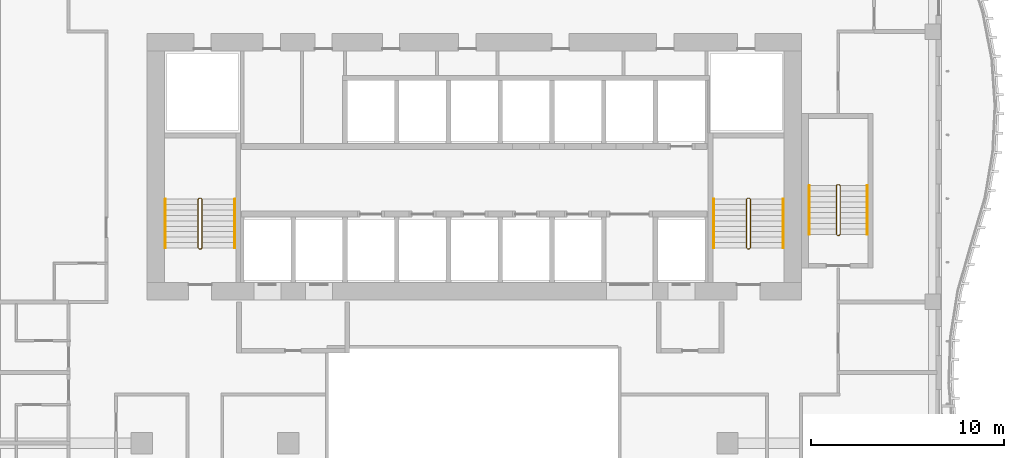
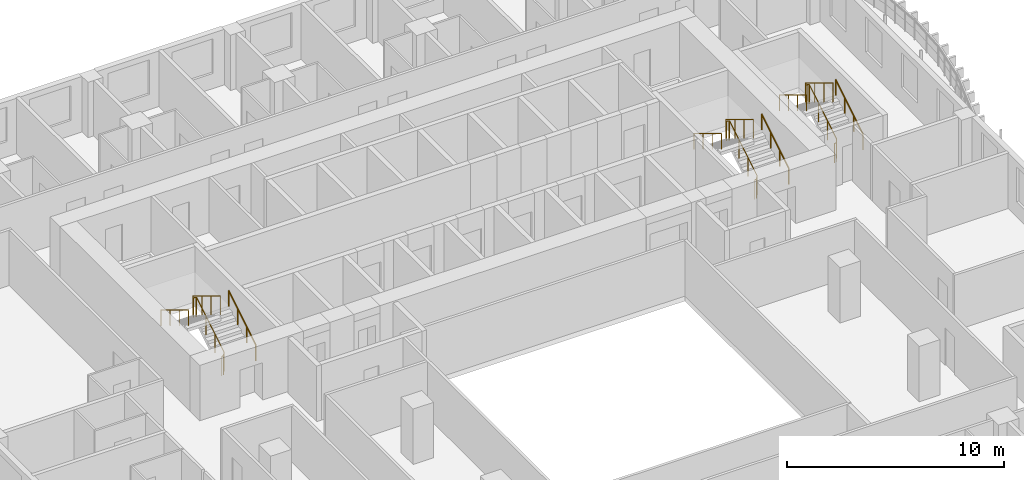
# One storey, part 21 of 22: 9 railings.
"""IFC4 building model written with IfcOpenShell, lengths in metres."""

from ifc_helpers import new_model, si_unit, direction, frame, origin, origin_2d, place, context, subcontext, project, spatial, circle, extrude, material, type_object, element, save


model = new_model("IFC4")

# Units and contexts
model_context = context("Model", 3, precision=1e-05, world=origin(), true_north=direction((0.0, 1.0)))
body_context = subcontext(model_context, "Body", "Model", "MODEL_VIEW")
ifc_project = project(units=[si_unit("LENGTHUNIT", "METRE"), si_unit("AREAUNIT", "SQUARE_METRE"), si_unit("VOLUMEUNIT", "CUBIC_METRE"), si_unit("PLANEANGLEUNIT", "RADIAN"), si_unit("MASSUNIT", "GRAM", prefix="KILO")], contexts=[model_context])

# Site, building, storey
site_placement = place(None, origin())
site = spatial("IfcSite", under=ifc_project, at=site_placement, CompositionType="ELEMENT")
building_placement = place(site_placement, origin())
building = spatial("IfcBuilding", under=site, at=building_placement, Name="Kilnfold Tower and Market Hall", CompositionType="ELEMENT")
storey_placement = place(building_placement, frame((0.0, 0.0, 143.89990234375)))
storey = spatial("IfcBuildingStorey", under=building, at=storey_placement, Name="L32", CompositionType="ELEMENT", Elevation=143.89990234375)

# Railings
ifc_material_1 = material(Name="Stainless steel 316", Category="steel")
railing_type_1 = type_object("IfcRailingType", Name="CORE STAIR GUARD 1100", PredefinedType="GUARDRAIL", material=ifc_material_1)
railing_1_placement = place(storey_placement, frame((-13.199951171875, 10.75, 0.0)))
element("IfcRailing", 1, at=railing_1_placement, inside=storey, type_object=railing_type_1, Name="L32 ST1 stair guard 1", PredefinedType="GUARDRAIL", context=body_context, shape_type="SweptSolid", body=[
    extrude(circle(Radius=0.02392578125, at=origin_2d()), frame((0.0, 0.0, 1.076171875), z_axis=(1.0, 0.0, 0.0), x_axis=(0.0, 1.0, 0.0)), (0.0, 0.0, 1.0), 0.099853515625),
    extrude(circle(Radius=0.02392578125, at=origin_2d()), frame((0.099853515625, 0.0, 1.076171875), z_axis=(0.271562723297, 0.271562723297, 0.923313259209), x_axis=(-0.707106781187, 0.707106781187, 0.0)), (0.0, 0.0, 1.0), 0.184326171875),
    extrude(circle(Radius=0.02392578125, at=origin_2d()), frame((0.14990234375, 0.050048828125, 1.24609375), z_axis=(0.0, 0.85478489116, 0.518982456201), x_axis=(-1.0, 0.0, 0.0)), (0.0, 0.0, 1.0), 2.9482421875),
    extrude(circle(Radius=0.02392578125, at=origin_2d()), frame((0.14990234375, 2.570068359375, 2.7763671875), z_axis=(-0.707106781187, 0.707106781187, 0.0), x_axis=(-0.707106781187, -0.707106781187, 0.0)), (0.0, 0.0, 1.0), 0.07080078125),
    extrude(circle(Radius=0.02392578125, at=origin_2d()), frame((0.099853515625, 2.6201171875, 2.7763671875), z_axis=(-1.0, 0.0, 0.0), x_axis=(0.0, -1.0, 0.0)), (0.0, 0.0, 1.0), 0.099853515625),
    extrude(circle(Radius=0.02392578125, at=origin_2d()), frame((0.0, 2.6201171875, 2.7763671875), z_axis=(-0.271895245746, -0.271895245746, 0.923117517265), x_axis=(0.707106781187, -0.707106781187, 0.0)), (0.0, 0.0, 1.0), 0.18408203125),
    extrude(circle(Radius=0.02392578125, at=origin_2d()), frame((-0.050048828125, 2.570068359375, 2.9462890625), z_axis=(0.0, -0.85478489116, 0.518982456201), x_axis=(1.0, 0.0, 0.0)), (0.0, 0.0, 1.0), 2.9482421875),
    extrude(circle(Radius=0.02099609375, at=origin_2d()), origin(), (0.0, 0.0, 1.0), 1.052001953125),
    extrude(circle(Radius=0.02099609375, at=origin_2d()), frame((0.099853515625, 0.0, 0.0)), (0.0, 0.0, 1.0), 1.052001953125),
    extrude(circle(Radius=0.02099609375, at=origin_2d()), frame((0.14990234375, 0.050048828125, 0.170166015625)), (0.0, 0.0, 1.0), 1.052001953125),
    extrude(circle(Radius=0.02099609375, at=origin_2d()), frame((0.14990234375, 0.89013671875, 0.68017578125)), (0.0, 0.0, 1.0), 1.052001953125),
    extrude(circle(Radius=0.02099609375, at=origin_2d()), frame((0.14990234375, 1.72998046875, 1.190185546875)), (0.0, 0.0, 1.0), 1.052001953125),
    extrude(circle(Radius=0.02099609375, at=origin_2d()), frame((0.14990234375, 2.570068359375, 1.7001953125)), (0.0, 0.0, 1.0), 1.052001953125),
    extrude(circle(Radius=0.02099609375, at=origin_2d()), frame((0.099853515625, 2.6201171875, 1.7001953125)), (0.0, 0.0, 1.0), 1.052001953125),
    extrude(circle(Radius=0.02099609375, at=origin_2d()), frame((0.0, 2.6201171875, 1.7001953125)), (0.0, 0.0, 1.0), 1.052001953125),
    extrude(circle(Radius=0.02099609375, at=origin_2d()), frame((-0.050048828125, 2.570068359375, 1.8701171875)), (0.0, 0.0, 1.0), 1.052001953125),
    extrude(circle(Radius=0.02099609375, at=origin_2d()), frame((-0.050048828125, 1.72998046875, 2.380126953125)), (0.0, 0.0, 1.0), 1.052001953125),
    extrude(circle(Radius=0.02099609375, at=origin_2d()), frame((-0.050048828125, 0.89013671875, 2.89013671875)), (0.0, 0.0, 1.0), 1.052001953125),
    extrude(circle(Radius=0.02099609375, at=origin_2d()), frame((-0.050048828125, 0.050048828125, 3.400146484375)), (0.0, 0.0, 1.0), 1.052001953125),
])
railing_2_placement = place(storey_placement, frame((15.199951171875, 10.75, 0.0)))
element("IfcRailing", 2, at=railing_2_placement, inside=storey, type_object=railing_type_1, Name="L32 ST2 stair guard 1", PredefinedType="GUARDRAIL", context=body_context, shape_type="SweptSolid", body=[
    extrude(circle(Radius=0.02392578125, at=origin_2d()), frame((0.0, 0.0, 1.076171875), z_axis=(1.0, 0.0, 0.0), x_axis=(0.0, 1.0, 0.0)), (0.0, 0.0, 1.0), 0.10009765625),
    extrude(circle(Radius=0.02392578125, at=origin_2d()), frame((0.10009765625, 0.0, 1.076171875), z_axis=(0.271562723297, 0.271562723297, 0.923313259209), x_axis=(-0.707106781187, 0.707106781187, 0.0)), (0.0, 0.0, 1.0), 0.184326171875),
    extrude(circle(Radius=0.02392578125, at=origin_2d()), frame((0.150146484375, 0.050048828125, 1.24609375), z_axis=(0.0, 0.85478489116, 0.518982456201), x_axis=(-1.0, 0.0, 0.0)), (0.0, 0.0, 1.0), 2.9482421875),
    extrude(circle(Radius=0.02392578125, at=origin_2d()), frame((0.150146484375, 2.570068359375, 2.7763671875), z_axis=(-0.707106781187, 0.707106781187, 0.0), x_axis=(-0.707106781187, -0.707106781187, 0.0)), (0.0, 0.0, 1.0), 0.07080078125),
    extrude(circle(Radius=0.02392578125, at=origin_2d()), frame((0.10009765625, 2.6201171875, 2.7763671875), z_axis=(-1.0, 0.0, 0.0), x_axis=(0.0, -1.0, 0.0)), (0.0, 0.0, 1.0), 0.10009765625),
    extrude(circle(Radius=0.02392578125, at=origin_2d()), frame((0.0, 2.6201171875, 2.7763671875), z_axis=(-0.271895245746, -0.271895245746, 0.923117517265), x_axis=(0.707106781187, -0.707106781187, 0.0)), (0.0, 0.0, 1.0), 0.18408203125),
    extrude(circle(Radius=0.02392578125, at=origin_2d()), frame((-0.050048828125, 2.570068359375, 2.9462890625), z_axis=(0.0, -0.85478489116, 0.518982456201), x_axis=(1.0, 0.0, 0.0)), (0.0, 0.0, 1.0), 2.9482421875),
    extrude(circle(Radius=0.02099609375, at=origin_2d()), origin(), (0.0, 0.0, 1.0), 1.052001953125),
    extrude(circle(Radius=0.02099609375, at=origin_2d()), frame((0.10009765625, 0.0, 0.0)), (0.0, 0.0, 1.0), 1.052001953125),
    extrude(circle(Radius=0.02099609375, at=origin_2d()), frame((0.150146484375, 0.050048828125, 0.170166015625)), (0.0, 0.0, 1.0), 1.052001953125),
    extrude(circle(Radius=0.02099609375, at=origin_2d()), frame((0.150146484375, 0.89013671875, 0.68017578125)), (0.0, 0.0, 1.0), 1.052001953125),
    extrude(circle(Radius=0.02099609375, at=origin_2d()), frame((0.150146484375, 1.72998046875, 1.190185546875)), (0.0, 0.0, 1.0), 1.052001953125),
    extrude(circle(Radius=0.02099609375, at=origin_2d()), frame((0.150146484375, 2.570068359375, 1.7001953125)), (0.0, 0.0, 1.0), 1.052001953125),
    extrude(circle(Radius=0.02099609375, at=origin_2d()), frame((0.10009765625, 2.6201171875, 1.7001953125)), (0.0, 0.0, 1.0), 1.052001953125),
    extrude(circle(Radius=0.02099609375, at=origin_2d()), frame((0.0, 2.6201171875, 1.7001953125)), (0.0, 0.0, 1.0), 1.052001953125),
    extrude(circle(Radius=0.02099609375, at=origin_2d()), frame((-0.050048828125, 2.570068359375, 1.8701171875)), (0.0, 0.0, 1.0), 1.052001953125),
    extrude(circle(Radius=0.02099609375, at=origin_2d()), frame((-0.050048828125, 1.72998046875, 2.380126953125)), (0.0, 0.0, 1.0), 1.052001953125),
    extrude(circle(Radius=0.02099609375, at=origin_2d()), frame((-0.050048828125, 0.89013671875, 2.89013671875)), (0.0, 0.0, 1.0), 1.052001953125),
    extrude(circle(Radius=0.02099609375, at=origin_2d()), frame((-0.050048828125, 0.050048828125, 3.400146484375)), (0.0, 0.0, 1.0), 1.052001953125),
])
railing_3_placement = place(storey_placement, frame((19.85009765625, 11.449951171875, 0.0)))
element("IfcRailing", 3, at=railing_3_placement, inside=storey, type_object=railing_type_1, Name="L32 ST5 stair guard 1", PredefinedType="GUARDRAIL", context=body_context, shape_type="SweptSolid", body=[
    extrude(circle(Radius=0.02392578125, at=origin_2d()), frame((0.0, 0.0, 1.076171875), z_axis=(1.0, 0.0, 0.0), x_axis=(0.0, 1.0, 0.0)), (0.0, 0.0, 1.0), 0.099853515625),
    extrude(circle(Radius=0.02392578125, at=origin_2d()), frame((0.099853515625, 0.0, 1.076171875), z_axis=(0.271562723297, 0.271562723297, 0.923313259209), x_axis=(-0.707106781187, 0.707106781187, 0.0)), (0.0, 0.0, 1.0), 0.184326171875),
    extrude(circle(Radius=0.02392578125, at=origin_2d()), frame((0.14990234375, 0.050048828125, 1.24609375), z_axis=(0.0, 0.85478489116, 0.518982456201), x_axis=(-1.0, 0.0, 0.0)), (0.0, 0.0, 1.0), 2.9482421875),
    extrude(circle(Radius=0.02392578125, at=origin_2d()), frame((0.14990234375, 2.570068359375, 2.7763671875), z_axis=(-0.707106781187, 0.707106781187, 0.0), x_axis=(-0.707106781187, -0.707106781187, 0.0)), (0.0, 0.0, 1.0), 0.07080078125),
    extrude(circle(Radius=0.02392578125, at=origin_2d()), frame((0.099853515625, 2.6201171875, 2.7763671875), z_axis=(-1.0, 0.0, 0.0), x_axis=(0.0, -1.0, 0.0)), (0.0, 0.0, 1.0), 0.099853515625),
    extrude(circle(Radius=0.02392578125, at=origin_2d()), frame((0.0, 2.6201171875, 2.7763671875), z_axis=(-0.271895245746, -0.271895245746, 0.923117517265), x_axis=(0.707106781187, -0.707106781187, 0.0)), (0.0, 0.0, 1.0), 0.18408203125),
    extrude(circle(Radius=0.02392578125, at=origin_2d()), frame((-0.050048828125, 2.570068359375, 2.9462890625), z_axis=(0.0, -0.85478489116, 0.518982456201), x_axis=(1.0, 0.0, 0.0)), (0.0, 0.0, 1.0), 2.9482421875),
    extrude(circle(Radius=0.02099609375, at=origin_2d()), origin(), (0.0, 0.0, 1.0), 1.052001953125),
    extrude(circle(Radius=0.02099609375, at=origin_2d()), frame((0.099853515625, 0.0, 0.0)), (0.0, 0.0, 1.0), 1.052001953125),
    extrude(circle(Radius=0.02099609375, at=origin_2d()), frame((0.14990234375, 0.050048828125, 0.170166015625)), (0.0, 0.0, 1.0), 1.052001953125),
    extrude(circle(Radius=0.02099609375, at=origin_2d()), frame((0.14990234375, 0.89013671875, 0.68017578125)), (0.0, 0.0, 1.0), 1.052001953125),
    extrude(circle(Radius=0.02099609375, at=origin_2d()), frame((0.14990234375, 1.72998046875, 1.190185546875)), (0.0, 0.0, 1.0), 1.052001953125),
    extrude(circle(Radius=0.02099609375, at=origin_2d()), frame((0.14990234375, 2.570068359375, 1.7001953125)), (0.0, 0.0, 1.0), 1.052001953125),
    extrude(circle(Radius=0.02099609375, at=origin_2d()), frame((0.099853515625, 2.6201171875, 1.7001953125)), (0.0, 0.0, 1.0), 1.052001953125),
    extrude(circle(Radius=0.02099609375, at=origin_2d()), frame((0.0, 2.6201171875, 1.7001953125)), (0.0, 0.0, 1.0), 1.052001953125),
    extrude(circle(Radius=0.02099609375, at=origin_2d()), frame((-0.050048828125, 2.570068359375, 1.8701171875)), (0.0, 0.0, 1.0), 1.052001953125),
    extrude(circle(Radius=0.02099609375, at=origin_2d()), frame((-0.050048828125, 1.72998046875, 2.380126953125)), (0.0, 0.0, 1.0), 1.052001953125),
    extrude(circle(Radius=0.02099609375, at=origin_2d()), frame((-0.050048828125, 0.89013671875, 2.89013671875)), (0.0, 0.0, 1.0), 1.052001953125),
    extrude(circle(Radius=0.02099609375, at=origin_2d()), frame((-0.050048828125, 0.050048828125, 3.400146484375)), (0.0, 0.0, 1.0), 1.052001953125),
])
ifc_material_2 = material(Name="Stainless steel 316", Category="steel")
railing_type_2 = type_object("IfcRailingType", Name="CORE STAIR HANDRAIL 900", PredefinedType="HANDRAIL", material=ifc_material_2)
railing_4_placement = place(storey_placement, frame((-11.35009765625, 10.800048828125, 0.170166015625)))
element("IfcRailing", 4, at=railing_4_placement, inside=storey, type_object=railing_type_2, Name="L32 ST1 stair handrail 1", PredefinedType="HANDRAIL", context=body_context, shape_type="SweptSolid", body=[
    extrude(circle(Radius=0.02392578125, at=origin_2d()), frame((0.0, 0.0, 0.8759765625), z_axis=(0.0, 0.85478489116, 0.518982456201), x_axis=(-1.0, 0.0, 0.0)), (0.0, 0.0, 1.0), 2.9482421875),
    extrude(circle(Radius=0.02099609375, at=origin_2d()), origin(), (0.0, 0.0, 1.0), 0.851806640625),
    extrude(circle(Radius=0.02099609375, at=origin_2d()), frame((0.0, 0.840087890625, 0.510009765625)), (0.0, 0.0, 1.0), 0.851806640625),
    extrude(circle(Radius=0.02099609375, at=origin_2d()), frame((0.0, 1.679931640625, 1.02001953125)), (0.0, 0.0, 1.0), 0.851806640625),
    extrude(circle(Radius=0.02099609375, at=origin_2d()), frame((0.0, 2.52001953125, 1.530029296875)), (0.0, 0.0, 1.0), 0.851806640625),
])
railing_5_placement = place(storey_placement, frame((-14.949951171875, 13.320068359375, 1.8701171875)))
element("IfcRailing", 5, at=railing_5_placement, inside=storey, type_object=railing_type_2, Name="L32 ST1 stair handrail 2", PredefinedType="HANDRAIL", context=body_context, shape_type="SweptSolid", body=[
    extrude(circle(Radius=0.02392578125, at=origin_2d()), frame((0.0, 0.0, 0.8759765625), z_axis=(0.0, -0.85478489116, 0.518982456201), x_axis=(1.0, 0.0, 0.0)), (0.0, 0.0, 1.0), 2.9482421875),
    extrude(circle(Radius=0.02099609375, at=origin_2d()), origin(), (0.0, 0.0, 1.0), 0.851806640625),
    extrude(circle(Radius=0.02099609375, at=origin_2d()), frame((0.0, -0.840087890625, 0.510009765625)), (0.0, 0.0, 1.0), 0.851806640625),
    extrude(circle(Radius=0.02099609375, at=origin_2d()), frame((0.0, -1.679931640625, 1.02001953125)), (0.0, 0.0, 1.0), 0.851806640625),
    extrude(circle(Radius=0.02099609375, at=origin_2d()), frame((0.0, -2.52001953125, 1.530029296875)), (0.0, 0.0, 1.0), 0.851806640625),
])
railing_6_placement = place(storey_placement, frame((17.050048828125, 10.800048828125, 0.170166015625)))
element("IfcRailing", 6, at=railing_6_placement, inside=storey, type_object=railing_type_2, Name="L32 ST2 stair handrail 1", PredefinedType="HANDRAIL", context=body_context, shape_type="SweptSolid", body=[
    extrude(circle(Radius=0.02392578125, at=origin_2d()), frame((0.0, 0.0, 0.8759765625), z_axis=(0.0, 0.85478489116, 0.518982456201), x_axis=(-1.0, 0.0, 0.0)), (0.0, 0.0, 1.0), 2.9482421875),
    extrude(circle(Radius=0.02099609375, at=origin_2d()), origin(), (0.0, 0.0, 1.0), 0.851806640625),
    extrude(circle(Radius=0.02099609375, at=origin_2d()), frame((0.0, 0.840087890625, 0.510009765625)), (0.0, 0.0, 1.0), 0.851806640625),
    extrude(circle(Radius=0.02099609375, at=origin_2d()), frame((0.0, 1.679931640625, 1.02001953125)), (0.0, 0.0, 1.0), 0.851806640625),
    extrude(circle(Radius=0.02099609375, at=origin_2d()), frame((0.0, 2.52001953125, 1.530029296875)), (0.0, 0.0, 1.0), 0.851806640625),
])
railing_7_placement = place(storey_placement, frame((13.449951171875, 13.320068359375, 1.8701171875)))
element("IfcRailing", 7, at=railing_7_placement, inside=storey, type_object=railing_type_2, Name="L32 ST2 stair handrail 2", PredefinedType="HANDRAIL", context=body_context, shape_type="SweptSolid", body=[
    extrude(circle(Radius=0.02392578125, at=origin_2d()), frame((0.0, 0.0, 0.8759765625), z_axis=(0.0, -0.85478489116, 0.518982456201), x_axis=(1.0, 0.0, 0.0)), (0.0, 0.0, 1.0), 2.9482421875),
    extrude(circle(Radius=0.02099609375, at=origin_2d()), origin(), (0.0, 0.0, 1.0), 0.851806640625),
    extrude(circle(Radius=0.02099609375, at=origin_2d()), frame((0.0, -0.840087890625, 0.510009765625)), (0.0, 0.0, 1.0), 0.851806640625),
    extrude(circle(Radius=0.02099609375, at=origin_2d()), frame((0.0, -1.679931640625, 1.02001953125)), (0.0, 0.0, 1.0), 0.851806640625),
    extrude(circle(Radius=0.02099609375, at=origin_2d()), frame((0.0, -2.52001953125, 1.530029296875)), (0.0, 0.0, 1.0), 0.851806640625),
])
railing_8_placement = place(storey_placement, frame((21.39990234375, 11.5, 0.170166015625)))
element("IfcRailing", 8, at=railing_8_placement, inside=storey, type_object=railing_type_2, Name="L32 ST5 stair handrail 1", PredefinedType="HANDRAIL", context=body_context, shape_type="SweptSolid", body=[
    extrude(circle(Radius=0.02392578125, at=origin_2d()), frame((0.0, 0.0, 0.8759765625), z_axis=(0.0, 0.85478489116, 0.518982456201), x_axis=(-1.0, 0.0, 0.0)), (0.0, 0.0, 1.0), 2.9482421875),
    extrude(circle(Radius=0.02099609375, at=origin_2d()), origin(), (0.0, 0.0, 1.0), 0.851806640625),
    extrude(circle(Radius=0.02099609375, at=origin_2d()), frame((0.0, 0.840087890625, 0.510009765625)), (0.0, 0.0, 1.0), 0.851806640625),
    extrude(circle(Radius=0.02099609375, at=origin_2d()), frame((0.0, 1.679931640625, 1.02001953125)), (0.0, 0.0, 1.0), 0.851806640625),
    extrude(circle(Radius=0.02099609375, at=origin_2d()), frame((0.0, 2.52001953125, 1.530029296875)), (0.0, 0.0, 1.0), 0.851806640625),
])
railing_9_placement = place(storey_placement, frame((18.39990234375, 14.02001953125, 1.8701171875)))
element("IfcRailing", 9, at=railing_9_placement, inside=storey, type_object=railing_type_2, Name="L32 ST5 stair handrail 2", PredefinedType="HANDRAIL", context=body_context, shape_type="SweptSolid", body=[
    extrude(circle(Radius=0.02392578125, at=origin_2d()), frame((0.0, 0.0, 0.8759765625), z_axis=(0.0, -0.85478489116, 0.518982456201), x_axis=(1.0, 0.0, 0.0)), (0.0, 0.0, 1.0), 2.9482421875),
    extrude(circle(Radius=0.02099609375, at=origin_2d()), origin(), (0.0, 0.0, 1.0), 0.851806640625),
    extrude(circle(Radius=0.02099609375, at=origin_2d()), frame((0.0, -0.840087890625, 0.510009765625)), (0.0, 0.0, 1.0), 0.851806640625),
    extrude(circle(Radius=0.02099609375, at=origin_2d()), frame((0.0, -1.679931640625, 1.02001953125)), (0.0, 0.0, 1.0), 0.851806640625),
    extrude(circle(Radius=0.02099609375, at=origin_2d()), frame((0.0, -2.52001953125, 1.530029296875)), (0.0, 0.0, 1.0), 0.851806640625),
])

save(model, "model.ifc")
